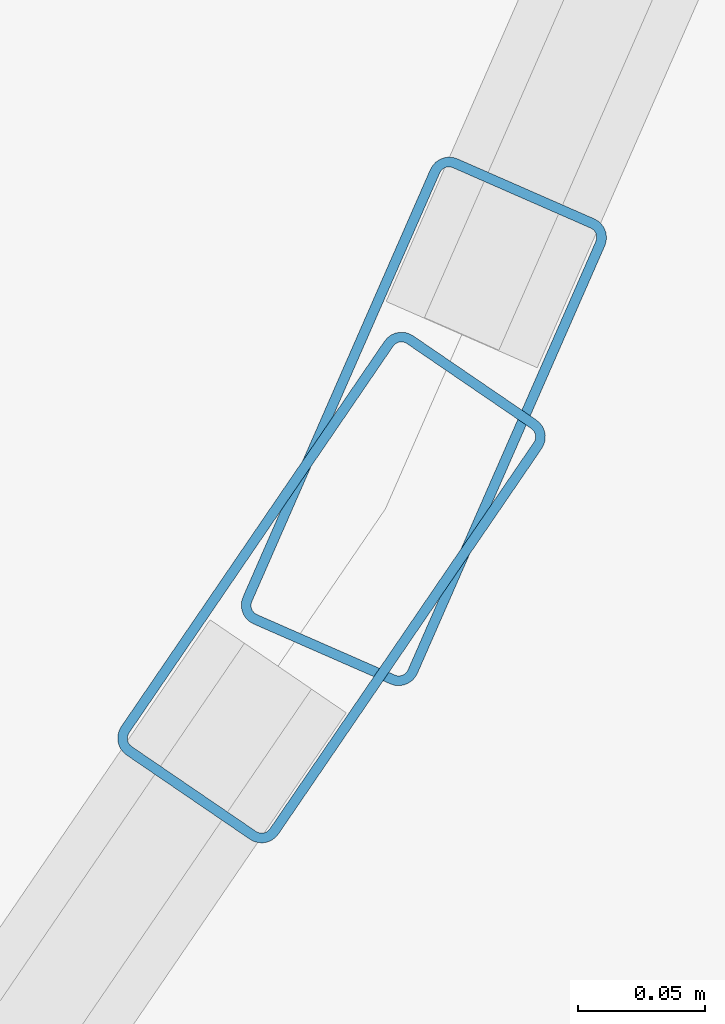
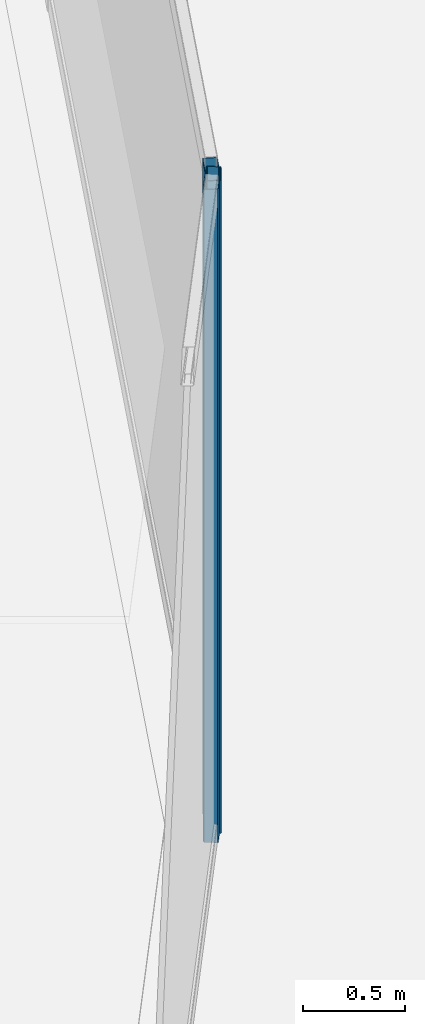
# One storey, part 11 of 47: 2 members, 2 elements without a shape of their own.
"""IFC4 building model written with IfcOpenShell, lengths in metres."""

from ifc_helpers import new_model, si_unit, direction, frame, origin, origin_2d, place, context, subcontext, project, spatial, hollow_rectangle, extrude, material, layer, layer_set, material_profile, profile_set, type_object, element, aggregate, save


model = new_model("IFC4")

# Units and contexts
model_context = context("Model", 3, precision=1e-05, world=origin(), true_north=direction((0.0, 1.0)))
body_context = subcontext(model_context, "Body", "Model", "MODEL_VIEW")
ifc_project = project(units=[si_unit("LENGTHUNIT", "METRE"), si_unit("AREAUNIT", "SQUARE_METRE"), si_unit("VOLUMEUNIT", "CUBIC_METRE"), si_unit("PLANEANGLEUNIT", "RADIAN"), si_unit("MASSUNIT", "GRAM", prefix="KILO")], contexts=[model_context])

# Site, building, storey
site_placement = place(None, origin())
site = spatial("IfcSite", under=ifc_project, at=site_placement, CompositionType="ELEMENT")
building_placement = place(site_placement, origin())
building = spatial("IfcBuilding", under=site, at=building_placement, Name="Qorvath Tower", CompositionType="ELEMENT")
storey_placement = place(building_placement, frame((0.0, 0.0, 82.800048828125)))
storey = spatial("IfcBuildingStorey", under=building, at=storey_placement, Name="L18", CompositionType="ELEMENT", Elevation=82.800048828125)

# Curtain wall, member
ifc_material_1 = material(Name="Anodised aluminium and triple low-E glass", Category="aluminium")
ifc_layer = layer(ifc_material_1, 0.179931640625)
ifc_layer_set = layer_set([ifc_layer], Name="CW-SYS-5")
curtain_wall_type = type_object("IfcCurtainWallType", Name="CW-SYS-5", PredefinedType="NOTDEFINED", material=ifc_layer_set)
curtain_wall_1_placement = place(storey_placement, origin())
curtain_wall_1 = element("IfcCurtainWall", 1, at=curtain_wall_1_placement, inside=storey, type_object=curtain_wall_type, Name="Curtain Wall CW-5 CW-T-L18-9.1", PredefinedType="NOTDEFINED")
ifc_material_2 = material(Name="Anodised aluminium 6063-T6", Category="aluminium")
ifc_material_profile = material_profile(ifc_material_2, hollow_rectangle(XDim=0.074951171875, YDim=0.199951171875, WallThickness=0.00390625, InnerFilletRadius=0.00390625, OuterFilletRadius=0.008056640625, at=origin_2d()), Name="CWM 200x75")
ifc_profile_set = profile_set([ifc_material_profile], Name="Anodised aluminium 6063-T6")
member_type = type_object("IfcMemberType", Name="CWM-200", PredefinedType="MULLION", material=ifc_profile_set)
member_1_placement = place(storey_placement, frame((1.3515625, -18.717529296875, 0.0), z_axis=(0.0, 0.0, 1.0), x_axis=(-0.825750255931, 0.564035916259, 0.0)))
member_1 = element("IfcMember", 2, at=member_1_placement, type_object=member_type, Name="CW-5 mullion 2", PredefinedType="MULLION", context=body_context, shape_type="SweptSolid", body=[
    extrude(hollow_rectangle(XDim=0.074951171875, YDim=0.199951171875, WallThickness=0.00390625, InnerFilletRadius=0.00390625, OuterFilletRadius=0.008056640625, at=origin_2d()), origin(), (0.0, 0.0, 1.0), 3.919921875),
])
aggregate(curtain_wall_1, [member_1])

curtain_wall_2_placement = place(storey_placement, origin())
curtain_wall_2 = element("IfcCurtainWall", 3, at=curtain_wall_2_placement, inside=storey, type_object=curtain_wall_type, Name="Curtain Wall CW-5 CW-T-L18-10.1", PredefinedType="NOTDEFINED")
member_2_placement = place(storey_placement, frame((1.387939453125, -18.652099609375, 0.0), z_axis=(0.0, 0.0, 1.0), x_axis=(-0.915885530927, 0.401439527499, 0.0)))
member_2 = element("IfcMember", 4, at=member_2_placement, type_object=member_type, Name="CW-5 mullion 1", PredefinedType="MULLION", context=body_context, shape_type="SweptSolid", body=[
    extrude(hollow_rectangle(XDim=0.074951171875, YDim=0.199951171875, WallThickness=0.00390625, InnerFilletRadius=0.00390625, OuterFilletRadius=0.008056640625, at=origin_2d()), origin(), (0.0, 0.0, 1.0), 3.919921875),
])
aggregate(curtain_wall_2, [member_2])

save(model, "model.ifc")
